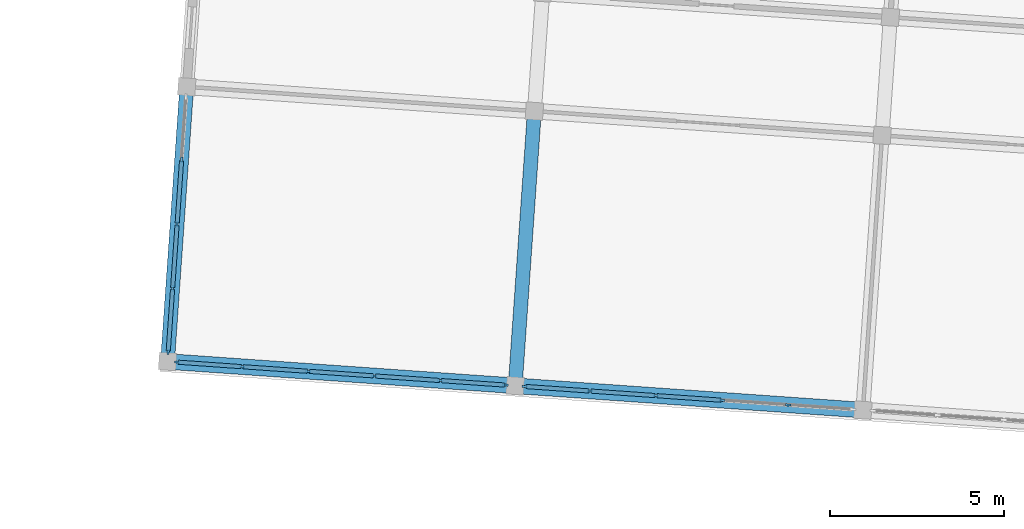
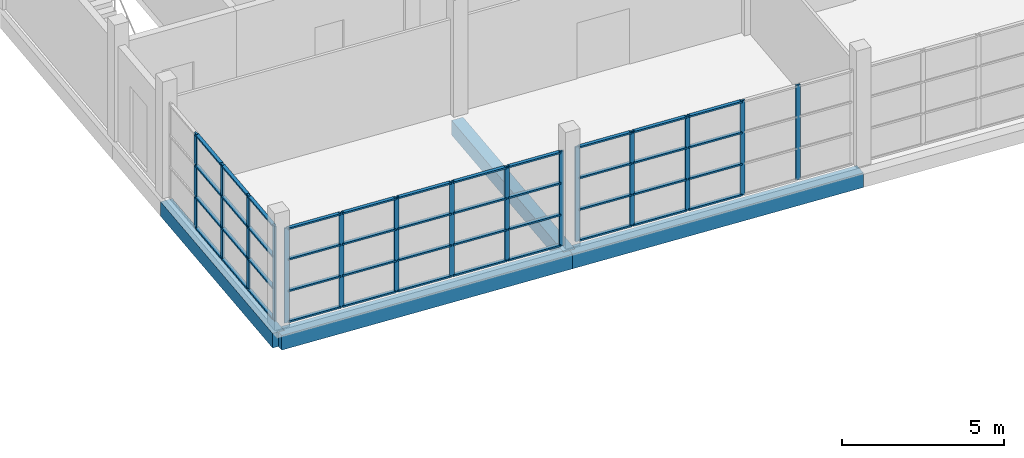
# One storey, part 18 of 50: 59 members, 4 beams, 3 elements without a shape of their own.
"""IFC4 building model written with IfcOpenShell, lengths in metres."""

from ifc_helpers import new_model, si_unit, direction, frame, origin, origin_2d, place, context, subcontext, project, spatial, rectangle, extrude, material, material_profile, profile_set, type_object, element, aggregate, save


model = new_model("IFC4")

# Units and contexts
model_context = context("Model", 3, precision=1e-05, world=origin(), true_north=direction((0.0, 1.0)))
body_context = subcontext(model_context, "Body", "Model", "MODEL_VIEW")
ifc_project = project(units=[si_unit("LENGTHUNIT", "METRE"), si_unit("AREAUNIT", "SQUARE_METRE"), si_unit("VOLUMEUNIT", "CUBIC_METRE"), si_unit("PLANEANGLEUNIT", "RADIAN"), si_unit("MASSUNIT", "GRAM", prefix="KILO")], contexts=[model_context])

# Site, building, storey
site_placement = place(None, origin())
site = spatial("IfcSite", under=ifc_project, at=site_placement, CompositionType="ELEMENT")
building_placement = place(site_placement, origin())
building = spatial("IfcBuilding", under=site, at=building_placement, Name="Windward Yard Aquatics Centre", CompositionType="ELEMENT")
storey_placement = place(building_placement, frame((0.0, 0.0, 18.199951171875)))
storey = spatial("IfcBuildingStorey", under=building, at=storey_placement, Name="L04", CompositionType="ELEMENT", Elevation=18.199951171875)

# Curtain wall, members
ifc_material_1 = material(Name="Aluminium curtain wall system", Category="aluminium")
curtain_wall_type = type_object("IfcCurtainWallType", Name="W curtain wall 1900", PredefinedType="NOTDEFINED", material=ifc_material_1)
curtain_wall_1_placement = place(storey_placement, origin())
curtain_wall_1 = element("IfcCurtainWall", 1, at=curtain_wall_1_placement, inside=storey, type_object=curtain_wall_type, Name="Wing south glazing L04 1", PredefinedType="NOTDEFINED")
ifc_material_2 = material(Name="Aluminium mullion", Category="aluminium")
ifc_material_profile_1 = material_profile(ifc_material_2, rectangle(XDim=0.06005859375, YDim=0.159912109375, at=origin_2d()), Name="AL 60x160")
ifc_profile_set_1 = profile_set([ifc_material_profile_1], Name="Aluminium mullion")
member_type_1 = type_object("IfcMemberType", Name="W CW mullion 60x160", PredefinedType="MULLION", material=ifc_profile_set_1)
member_1_placement = place(storey_placement, frame((118.1181640625, 116.14794921875, 0.0), z_axis=(0.0, 0.0, 1.0), x_axis=(0.06975831617, 0.997563921423, 0.0)))
member_1 = element("IfcMember", 2, at=member_1_placement, type_object=member_type_1, Name="WCW1 mullion 1", PredefinedType="MULLION", context=body_context, shape_type="SweptSolid", body=[
    extrude(rectangle(XDim=0.06005859375, YDim=0.159912109375, at=origin_2d()), origin(), (0.0, 0.0, 1.0), 3.570068359375),
])
member_2_placement = place(storey_placement, frame((119.983642578125, 116.017578125, 0.0), z_axis=(0.0, 0.0, 1.0), x_axis=(0.06975831617, 0.997563921423, 0.0)))
member_2 = element("IfcMember", 3, at=member_2_placement, type_object=member_type_1, Name="WCW1 mullion 2", PredefinedType="MULLION", context=body_context, shape_type="SweptSolid", body=[
    extrude(rectangle(XDim=0.06005859375, YDim=0.159912109375, at=origin_2d()), origin(), (0.0, 0.0, 1.0), 3.570068359375),
])
member_3_placement = place(storey_placement, frame((121.87890625, 115.885009765625, 0.0), z_axis=(0.0, 0.0, 1.0), x_axis=(0.06975831617, 0.997563921423, 0.0)))
member_3 = element("IfcMember", 4, at=member_3_placement, type_object=member_type_1, Name="WCW1 mullion 3", PredefinedType="MULLION", context=body_context, shape_type="SweptSolid", body=[
    extrude(rectangle(XDim=0.06005859375, YDim=0.159912109375, at=origin_2d()), origin(), (0.0, 0.0, 1.0), 3.570068359375),
])
member_4_placement = place(storey_placement, frame((123.7744140625, 115.75244140625, 0.0), z_axis=(0.0, 0.0, 1.0), x_axis=(0.06975831617, 0.997563921423, 0.0)))
member_4 = element("IfcMember", 5, at=member_4_placement, type_object=member_type_1, Name="WCW1 mullion 4", PredefinedType="MULLION", context=body_context, shape_type="SweptSolid", body=[
    extrude(rectangle(XDim=0.06005859375, YDim=0.159912109375, at=origin_2d()), origin(), (0.0, 0.0, 1.0), 3.570068359375),
])
member_5_placement = place(storey_placement, frame((125.669677734375, 115.619873046875, 0.0), z_axis=(0.0, 0.0, 1.0), x_axis=(0.06975831617, 0.997563921423, 0.0)))
member_5 = element("IfcMember", 6, at=member_5_placement, type_object=member_type_1, Name="WCW1 mullion 5", PredefinedType="MULLION", context=body_context, shape_type="SweptSolid", body=[
    extrude(rectangle(XDim=0.06005859375, YDim=0.159912109375, at=origin_2d()), origin(), (0.0, 0.0, 1.0), 3.570068359375),
])
member_6_placement = place(storey_placement, frame((127.53515625, 115.489501953125, 0.0), z_axis=(0.0, 0.0, 1.0), x_axis=(0.06975831617, 0.997563921423, 0.0)))
member_6 = element("IfcMember", 7, at=member_6_placement, type_object=member_type_1, Name="WCW1 mullion 6", PredefinedType="MULLION", context=body_context, shape_type="SweptSolid", body=[
    extrude(rectangle(XDim=0.06005859375, YDim=0.159912109375, at=origin_2d()), origin(), (0.0, 0.0, 1.0), 3.570068359375),
])

curtain_wall_2_placement = place(storey_placement, origin())
curtain_wall_2 = element("IfcCurtainWall", 8, at=curtain_wall_2_placement, inside=storey, type_object=curtain_wall_type, Name="Wing south glazing L04 2", PredefinedType="NOTDEFINED")
member_7_placement = place(storey_placement, frame((128.09375, 115.450439453125, 0.0), z_axis=(0.0, 0.0, 1.0), x_axis=(0.069757583664, 0.997563972646, 0.0)))
member_7 = element("IfcMember", 9, at=member_7_placement, type_object=member_type_1, Name="WCW1 mullion 1", PredefinedType="MULLION", context=body_context, shape_type="SweptSolid", body=[
    extrude(rectangle(XDim=0.06005859375, YDim=0.159912109375, at=origin_2d()), origin(), (0.0, 0.0, 1.0), 3.570068359375),
])
member_8_placement = place(storey_placement, frame((129.959228515625, 115.320068359375, 0.0), z_axis=(0.0, 0.0, 1.0), x_axis=(0.069757583664, 0.997563972646, 0.0)))
member_8 = element("IfcMember", 10, at=member_8_placement, type_object=member_type_1, Name="WCW1 mullion 2", PredefinedType="MULLION", context=body_context, shape_type="SweptSolid", body=[
    extrude(rectangle(XDim=0.06005859375, YDim=0.159912109375, at=origin_2d()), origin(), (0.0, 0.0, 1.0), 3.570068359375),
])
member_9_placement = place(storey_placement, frame((131.854736328125, 115.1875, 0.0), z_axis=(0.0, 0.0, 1.0), x_axis=(0.069757583664, 0.997563972646, 0.0)))
member_9 = element("IfcMember", 11, at=member_9_placement, type_object=member_type_1, Name="WCW1 mullion 3", PredefinedType="MULLION", context=body_context, shape_type="SweptSolid", body=[
    extrude(rectangle(XDim=0.06005859375, YDim=0.159912109375, at=origin_2d()), origin(), (0.0, 0.0, 1.0), 3.570068359375),
])
member_10_placement = place(storey_placement, frame((133.75, 115.054931640625, 0.0), z_axis=(0.0, 0.0, 1.0), x_axis=(0.069757583664, 0.997563972646, 0.0)))
member_10 = element("IfcMember", 12, at=member_10_placement, type_object=member_type_1, Name="WCW1 mullion 4", PredefinedType="MULLION", context=body_context, shape_type="SweptSolid", body=[
    extrude(rectangle(XDim=0.06005859375, YDim=0.159912109375, at=origin_2d()), origin(), (0.0, 0.0, 1.0), 3.570068359375),
])
member_11_placement = place(storey_placement, frame((135.6455078125, 114.92236328125, 0.0), z_axis=(0.0, 0.0, 1.0), x_axis=(0.069757583664, 0.997563972646, 0.0)))
member_11 = element("IfcMember", 13, at=member_11_placement, type_object=member_type_1, Name="WCW1 mullion 5", PredefinedType="MULLION", context=body_context, shape_type="SweptSolid", body=[
    extrude(rectangle(XDim=0.06005859375, YDim=0.159912109375, at=origin_2d()), origin(), (0.0, 0.0, 1.0), 3.570068359375),
])

curtain_wall_3_placement = place(storey_placement, origin())
curtain_wall_3 = element("IfcCurtainWall", 14, at=curtain_wall_3_placement, inside=storey, type_object=curtain_wall_type, Name="Wing west glazing L04 1", PredefinedType="NOTDEFINED")
member_12_placement = place(storey_placement, frame((117.8583984375, 116.44677734375, 0.0), z_axis=(0.0, 0.0, 1.0), x_axis=(-0.997564047681, 0.06975651062, 0.0)))
member_12 = element("IfcMember", 15, at=member_12_placement, type_object=member_type_1, Name="WCW1 mullion 1", PredefinedType="MULLION", context=body_context, shape_type="SweptSolid", body=[
    extrude(rectangle(XDim=0.06005859375, YDim=0.159912109375, at=origin_2d()), origin(), (0.0, 0.0, 1.0), 3.570068359375),
])
member_13_placement = place(storey_placement, frame((117.9853515625, 118.262451171875, 0.0), z_axis=(0.0, 0.0, 1.0), x_axis=(-0.997564047681, 0.06975651062, 0.0)))
member_13 = element("IfcMember", 16, at=member_13_placement, type_object=member_type_1, Name="WCW1 mullion 2", PredefinedType="MULLION", context=body_context, shape_type="SweptSolid", body=[
    extrude(rectangle(XDim=0.06005859375, YDim=0.159912109375, at=origin_2d()), origin(), (0.0, 0.0, 1.0), 3.570068359375),
])
member_14_placement = place(storey_placement, frame((118.114501953125, 120.10791015625, 0.0), z_axis=(0.0, 0.0, 1.0), x_axis=(-0.997564047681, 0.06975651062, 0.0)))
member_14 = element("IfcMember", 17, at=member_14_placement, type_object=member_type_1, Name="WCW1 mullion 3", PredefinedType="MULLION", context=body_context, shape_type="SweptSolid", body=[
    extrude(rectangle(XDim=0.06005859375, YDim=0.159912109375, at=origin_2d()), origin(), (0.0, 0.0, 1.0), 3.570068359375),
])
member_15_placement = place(storey_placement, frame((118.243408203125, 121.953369140625, 0.0), z_axis=(0.0, 0.0, 1.0), x_axis=(-0.997564047681, 0.06975651062, 0.0)))
member_15 = element("IfcMember", 18, at=member_15_placement, type_object=member_type_1, Name="WCW1 mullion 4", PredefinedType="MULLION", context=body_context, shape_type="SweptSolid", body=[
    extrude(rectangle(XDim=0.06005859375, YDim=0.159912109375, at=origin_2d()), origin(), (0.0, 0.0, 1.0), 3.570068359375),
])

# Member
ifc_material_3 = material(Name="Aluminium transom", Category="aluminium")
ifc_material_profile_2 = material_profile(ifc_material_3, rectangle(XDim=0.1201171875, YDim=0.06005859375, at=origin_2d()), Name="AL 120x60")
ifc_profile_set_2 = profile_set([ifc_material_profile_2], Name="Aluminium transom")
member_type_2 = type_object("IfcMemberType", Name="W CW transom 120x60", PredefinedType="USERDEFINED", material=ifc_profile_set_2)
member_16_placement = place(storey_placement, frame((118.148193359375, 116.14599609375, 0.030029296875), z_axis=(0.997555677199, -0.069876110992, 0.0), x_axis=(0.069876110992, 0.997555677199, 0.0)))
member_16 = element("IfcMember", 19, at=member_16_placement, type_object=member_type_2, Name="WCW1 transom 1.1", ObjectType="TRANSOM", PredefinedType="USERDEFINED", context=body_context, shape_type="SweptSolid", body=[
    extrude(rectangle(XDim=0.1201171875, YDim=0.06005859375, at=origin_2d()), origin(), (0.0, 0.0, 1.0), 1.809814453125),
])

member_17_placement = place(storey_placement, frame((118.148193359375, 116.14599609375, 1.18994140625), z_axis=(0.997555677199, -0.069876110992, 0.0), x_axis=(0.069876110992, 0.997555677199, 0.0)))
member_17 = element("IfcMember", 20, at=member_17_placement, type_object=member_type_2, Name="WCW1 transom 1.2", ObjectType="TRANSOM", PredefinedType="USERDEFINED", context=body_context, shape_type="SweptSolid", body=[
    extrude(rectangle(XDim=0.1201171875, YDim=0.06005859375, at=origin_2d()), origin(), (0.0, 0.0, 1.0), 1.809814453125),
])

member_18_placement = place(storey_placement, frame((118.148193359375, 116.14599609375, 2.380126953125), z_axis=(0.997555677199, -0.069876110992, 0.0), x_axis=(0.069876110992, 0.997555677199, 0.0)))
member_18 = element("IfcMember", 21, at=member_18_placement, type_object=member_type_2, Name="WCW1 transom 1.3", ObjectType="TRANSOM", PredefinedType="USERDEFINED", context=body_context, shape_type="SweptSolid", body=[
    extrude(rectangle(XDim=0.1201171875, YDim=0.06005859375, at=origin_2d()), origin(), (0.0, 0.0, 1.0), 1.809814453125),
])

member_19_placement = place(storey_placement, frame((118.148193359375, 116.14599609375, 3.5400390625), z_axis=(0.997555677199, -0.069876110992, 0.0), x_axis=(0.069876110992, 0.997555677199, 0.0)))
member_19 = element("IfcMember", 22, at=member_19_placement, type_object=member_type_2, Name="WCW1 transom 1.4", ObjectType="TRANSOM", PredefinedType="USERDEFINED", context=body_context, shape_type="SweptSolid", body=[
    extrude(rectangle(XDim=0.1201171875, YDim=0.06005859375, at=origin_2d()), origin(), (0.0, 0.0, 1.0), 1.809814453125),
])

member_20_placement = place(storey_placement, frame((120.013671875, 116.015380859375, 0.030029296875), z_axis=(0.997570599543, -0.069662751365, 0.0), x_axis=(0.069662751365, 0.997570599543, 0.0)))
member_20 = element("IfcMember", 23, at=member_20_placement, type_object=member_type_2, Name="WCW1 transom 2.1", ObjectType="TRANSOM", PredefinedType="USERDEFINED", context=body_context, shape_type="SweptSolid", body=[
    extrude(rectangle(XDim=0.1201171875, YDim=0.06005859375, at=origin_2d()), origin(), (0.0, 0.0, 1.0), 1.83984375),
])

member_21_placement = place(storey_placement, frame((120.013671875, 116.015380859375, 1.18994140625), z_axis=(0.997570599543, -0.069662751365, 0.0), x_axis=(0.069662751365, 0.997570599543, 0.0)))
member_21 = element("IfcMember", 24, at=member_21_placement, type_object=member_type_2, Name="WCW1 transom 2.2", ObjectType="TRANSOM", PredefinedType="USERDEFINED", context=body_context, shape_type="SweptSolid", body=[
    extrude(rectangle(XDim=0.1201171875, YDim=0.06005859375, at=origin_2d()), origin(), (0.0, 0.0, 1.0), 1.83984375),
])

member_22_placement = place(storey_placement, frame((120.013671875, 116.015380859375, 2.380126953125), z_axis=(0.997570599543, -0.069662751365, 0.0), x_axis=(0.069662751365, 0.997570599543, 0.0)))
member_22 = element("IfcMember", 25, at=member_22_placement, type_object=member_type_2, Name="WCW1 transom 2.3", ObjectType="TRANSOM", PredefinedType="USERDEFINED", context=body_context, shape_type="SweptSolid", body=[
    extrude(rectangle(XDim=0.1201171875, YDim=0.06005859375, at=origin_2d()), origin(), (0.0, 0.0, 1.0), 1.83984375),
])

member_23_placement = place(storey_placement, frame((120.013671875, 116.015380859375, 3.5400390625), z_axis=(0.997570599543, -0.069662751365, 0.0), x_axis=(0.069662751365, 0.997570599543, 0.0)))
member_23 = element("IfcMember", 26, at=member_23_placement, type_object=member_type_2, Name="WCW1 transom 2.4", ObjectType="TRANSOM", PredefinedType="USERDEFINED", context=body_context, shape_type="SweptSolid", body=[
    extrude(rectangle(XDim=0.1201171875, YDim=0.06005859375, at=origin_2d()), origin(), (0.0, 0.0, 1.0), 1.83984375),
])

member_24_placement = place(storey_placement, frame((121.908935546875, 115.8828125, 0.030029296875), z_axis=(0.997570599543, -0.069662751365, 0.0), x_axis=(0.069662751365, 0.997570599543, 0.0)))
member_24 = element("IfcMember", 27, at=member_24_placement, type_object=member_type_2, Name="WCW1 transom 3.1", ObjectType="TRANSOM", PredefinedType="USERDEFINED", context=body_context, shape_type="SweptSolid", body=[
    extrude(rectangle(XDim=0.1201171875, YDim=0.06005859375, at=origin_2d()), origin(), (0.0, 0.0, 1.0), 1.83984375),
])

member_25_placement = place(storey_placement, frame((121.908935546875, 115.8828125, 1.18994140625), z_axis=(0.997570599543, -0.069662751365, 0.0), x_axis=(0.069662751365, 0.997570599543, 0.0)))
member_25 = element("IfcMember", 28, at=member_25_placement, type_object=member_type_2, Name="WCW1 transom 3.2", ObjectType="TRANSOM", PredefinedType="USERDEFINED", context=body_context, shape_type="SweptSolid", body=[
    extrude(rectangle(XDim=0.1201171875, YDim=0.06005859375, at=origin_2d()), origin(), (0.0, 0.0, 1.0), 1.83984375),
])

member_26_placement = place(storey_placement, frame((121.908935546875, 115.8828125, 2.380126953125), z_axis=(0.997570599543, -0.069662751365, 0.0), x_axis=(0.069662751365, 0.997570599543, 0.0)))
member_26 = element("IfcMember", 29, at=member_26_placement, type_object=member_type_2, Name="WCW1 transom 3.3", ObjectType="TRANSOM", PredefinedType="USERDEFINED", context=body_context, shape_type="SweptSolid", body=[
    extrude(rectangle(XDim=0.1201171875, YDim=0.06005859375, at=origin_2d()), origin(), (0.0, 0.0, 1.0), 1.83984375),
])

member_27_placement = place(storey_placement, frame((121.908935546875, 115.8828125, 3.5400390625), z_axis=(0.997570599543, -0.069662751365, 0.0), x_axis=(0.069662751365, 0.997570599543, 0.0)))
member_27 = element("IfcMember", 30, at=member_27_placement, type_object=member_type_2, Name="WCW1 transom 3.4", ObjectType="TRANSOM", PredefinedType="USERDEFINED", context=body_context, shape_type="SweptSolid", body=[
    extrude(rectangle(XDim=0.1201171875, YDim=0.06005859375, at=origin_2d()), origin(), (0.0, 0.0, 1.0), 1.83984375),
])

member_28_placement = place(storey_placement, frame((123.80419921875, 115.75048828125, 0.030029296875), z_axis=(0.997562015973, -0.069785559303, 0.0), x_axis=(0.069785559303, 0.997562015973, 0.0)))
member_28 = element("IfcMember", 31, at=member_28_placement, type_object=member_type_2, Name="WCW1 transom 4.1", ObjectType="TRANSOM", PredefinedType="USERDEFINED", context=body_context, shape_type="SweptSolid", body=[
    extrude(rectangle(XDim=0.1201171875, YDim=0.06005859375, at=origin_2d()), origin(), (0.0, 0.0, 1.0), 1.840087890625),
])

member_29_placement = place(storey_placement, frame((123.80419921875, 115.75048828125, 1.18994140625), z_axis=(0.997562015973, -0.069785559303, 0.0), x_axis=(0.069785559303, 0.997562015973, 0.0)))
member_29 = element("IfcMember", 32, at=member_29_placement, type_object=member_type_2, Name="WCW1 transom 4.2", ObjectType="TRANSOM", PredefinedType="USERDEFINED", context=body_context, shape_type="SweptSolid", body=[
    extrude(rectangle(XDim=0.1201171875, YDim=0.06005859375, at=origin_2d()), origin(), (0.0, 0.0, 1.0), 1.840087890625),
])

member_30_placement = place(storey_placement, frame((123.80419921875, 115.75048828125, 2.380126953125), z_axis=(0.997562015973, -0.069785559303, 0.0), x_axis=(0.069785559303, 0.997562015973, 0.0)))
member_30 = element("IfcMember", 33, at=member_30_placement, type_object=member_type_2, Name="WCW1 transom 4.3", ObjectType="TRANSOM", PredefinedType="USERDEFINED", context=body_context, shape_type="SweptSolid", body=[
    extrude(rectangle(XDim=0.1201171875, YDim=0.06005859375, at=origin_2d()), origin(), (0.0, 0.0, 1.0), 1.840087890625),
])

member_31_placement = place(storey_placement, frame((123.80419921875, 115.75048828125, 3.5400390625), z_axis=(0.997562015973, -0.069785559303, 0.0), x_axis=(0.069785559303, 0.997562015973, 0.0)))
member_31 = element("IfcMember", 34, at=member_31_placement, type_object=member_type_2, Name="WCW1 transom 4.4", ObjectType="TRANSOM", PredefinedType="USERDEFINED", context=body_context, shape_type="SweptSolid", body=[
    extrude(rectangle(XDim=0.1201171875, YDim=0.06005859375, at=origin_2d()), origin(), (0.0, 0.0, 1.0), 1.840087890625),
])

member_32_placement = place(storey_placement, frame((125.69970703125, 115.617919921875, 0.030029296875), z_axis=(0.997565071221, -0.069741871781, 0.0), x_axis=(0.069741871781, 0.997565071221, 0.0)))
member_32 = element("IfcMember", 35, at=member_32_placement, type_object=member_type_2, Name="WCW1 transom 5.1", ObjectType="TRANSOM", PredefinedType="USERDEFINED", context=body_context, shape_type="SweptSolid", body=[
    extrude(rectangle(XDim=0.1201171875, YDim=0.06005859375, at=origin_2d()), origin(), (0.0, 0.0, 1.0), 1.809814453125),
])

member_33_placement = place(storey_placement, frame((125.69970703125, 115.617919921875, 1.18994140625), z_axis=(0.997565071221, -0.069741871781, 0.0), x_axis=(0.069741871781, 0.997565071221, 0.0)))
member_33 = element("IfcMember", 36, at=member_33_placement, type_object=member_type_2, Name="WCW1 transom 5.2", ObjectType="TRANSOM", PredefinedType="USERDEFINED", context=body_context, shape_type="SweptSolid", body=[
    extrude(rectangle(XDim=0.1201171875, YDim=0.06005859375, at=origin_2d()), origin(), (0.0, 0.0, 1.0), 1.809814453125),
])

member_34_placement = place(storey_placement, frame((125.69970703125, 115.617919921875, 2.380126953125), z_axis=(0.997565071221, -0.069741871781, 0.0), x_axis=(0.069741871781, 0.997565071221, 0.0)))
member_34 = element("IfcMember", 37, at=member_34_placement, type_object=member_type_2, Name="WCW1 transom 5.3", ObjectType="TRANSOM", PredefinedType="USERDEFINED", context=body_context, shape_type="SweptSolid", body=[
    extrude(rectangle(XDim=0.1201171875, YDim=0.06005859375, at=origin_2d()), origin(), (0.0, 0.0, 1.0), 1.809814453125),
])

member_35_placement = place(storey_placement, frame((125.69970703125, 115.617919921875, 3.5400390625), z_axis=(0.997565071221, -0.069741871781, 0.0), x_axis=(0.069741871781, 0.997565071221, 0.0)))
member_35 = element("IfcMember", 38, at=member_35_placement, type_object=member_type_2, Name="WCW1 transom 5.4", ObjectType="TRANSOM", PredefinedType="USERDEFINED", context=body_context, shape_type="SweptSolid", body=[
    extrude(rectangle(XDim=0.1201171875, YDim=0.06005859375, at=origin_2d()), origin(), (0.0, 0.0, 1.0), 1.809814453125),
])

aggregate(curtain_wall_1, [member_1, member_2, member_3, member_4, member_5, member_6, member_16, member_17, member_18, member_19, member_20, member_21, member_22, member_23, member_24, member_25, member_26, member_27, member_28, member_29, member_30, member_31, member_32, member_33, member_34, member_35])

member_36_placement = place(storey_placement, frame((128.123779296875, 115.4482421875, 0.030029296875), z_axis=(0.997565727219, -0.069732487963, 0.0), x_axis=(0.069732487963, 0.997565727219, 0.0)))
member_36 = element("IfcMember", 39, at=member_36_placement, type_object=member_type_2, Name="WCW1 transom 1.1", ObjectType="TRANSOM", PredefinedType="USERDEFINED", context=body_context, shape_type="SweptSolid", body=[
    extrude(rectangle(XDim=0.1201171875, YDim=0.06005859375, at=origin_2d()), origin(), (0.0, 0.0, 1.0), 1.81005859375),
])

member_37_placement = place(storey_placement, frame((128.123779296875, 115.4482421875, 1.18994140625), z_axis=(0.997565727219, -0.069732487963, 0.0), x_axis=(0.069732487963, 0.997565727219, 0.0)))
member_37 = element("IfcMember", 40, at=member_37_placement, type_object=member_type_2, Name="WCW1 transom 1.2", ObjectType="TRANSOM", PredefinedType="USERDEFINED", context=body_context, shape_type="SweptSolid", body=[
    extrude(rectangle(XDim=0.1201171875, YDim=0.06005859375, at=origin_2d()), origin(), (0.0, 0.0, 1.0), 1.81005859375),
])

member_38_placement = place(storey_placement, frame((128.123779296875, 115.4482421875, 2.380126953125), z_axis=(0.997565727219, -0.069732487963, 0.0), x_axis=(0.069732487963, 0.997565727219, 0.0)))
member_38 = element("IfcMember", 41, at=member_38_placement, type_object=member_type_2, Name="WCW1 transom 1.3", ObjectType="TRANSOM", PredefinedType="USERDEFINED", context=body_context, shape_type="SweptSolid", body=[
    extrude(rectangle(XDim=0.1201171875, YDim=0.06005859375, at=origin_2d()), origin(), (0.0, 0.0, 1.0), 1.81005859375),
])

member_39_placement = place(storey_placement, frame((128.123779296875, 115.4482421875, 3.5400390625), z_axis=(0.997565727219, -0.069732487963, 0.0), x_axis=(0.069732487963, 0.997565727219, 0.0)))
member_39 = element("IfcMember", 42, at=member_39_placement, type_object=member_type_2, Name="WCW1 transom 1.4", ObjectType="TRANSOM", PredefinedType="USERDEFINED", context=body_context, shape_type="SweptSolid", body=[
    extrude(rectangle(XDim=0.1201171875, YDim=0.06005859375, at=origin_2d()), origin(), (0.0, 0.0, 1.0), 1.81005859375),
])

member_40_placement = place(storey_placement, frame((129.9892578125, 115.31787109375, 0.030029296875), z_axis=(0.997561369728, -0.069794796552, 0.0), x_axis=(0.069794796552, 0.997561369728, 0.0)))
member_40 = element("IfcMember", 43, at=member_40_placement, type_object=member_type_2, Name="WCW1 transom 2.1", ObjectType="TRANSOM", PredefinedType="USERDEFINED", context=body_context, shape_type="SweptSolid", body=[
    extrude(rectangle(XDim=0.1201171875, YDim=0.06005859375, at=origin_2d()), origin(), (0.0, 0.0, 1.0), 1.83984375),
])

member_41_placement = place(storey_placement, frame((129.9892578125, 115.31787109375, 1.18994140625), z_axis=(0.997561369728, -0.069794796552, 0.0), x_axis=(0.069794796552, 0.997561369728, 0.0)))
member_41 = element("IfcMember", 44, at=member_41_placement, type_object=member_type_2, Name="WCW1 transom 2.2", ObjectType="TRANSOM", PredefinedType="USERDEFINED", context=body_context, shape_type="SweptSolid", body=[
    extrude(rectangle(XDim=0.1201171875, YDim=0.06005859375, at=origin_2d()), origin(), (0.0, 0.0, 1.0), 1.83984375),
])

member_42_placement = place(storey_placement, frame((129.9892578125, 115.31787109375, 2.380126953125), z_axis=(0.997561369728, -0.069794796552, 0.0), x_axis=(0.069794796552, 0.997561369728, 0.0)))
member_42 = element("IfcMember", 45, at=member_42_placement, type_object=member_type_2, Name="WCW1 transom 2.3", ObjectType="TRANSOM", PredefinedType="USERDEFINED", context=body_context, shape_type="SweptSolid", body=[
    extrude(rectangle(XDim=0.1201171875, YDim=0.06005859375, at=origin_2d()), origin(), (0.0, 0.0, 1.0), 1.83984375),
])

member_43_placement = place(storey_placement, frame((129.9892578125, 115.31787109375, 3.5400390625), z_axis=(0.997561369728, -0.069794796552, 0.0), x_axis=(0.069794796552, 0.997561369728, 0.0)))
member_43 = element("IfcMember", 46, at=member_43_placement, type_object=member_type_2, Name="WCW1 transom 2.4", ObjectType="TRANSOM", PredefinedType="USERDEFINED", context=body_context, shape_type="SweptSolid", body=[
    extrude(rectangle(XDim=0.1201171875, YDim=0.06005859375, at=origin_2d()), origin(), (0.0, 0.0, 1.0), 1.83984375),
])

member_44_placement = place(storey_placement, frame((131.884521484375, 115.185302734375, 0.030029296875), z_axis=(0.997562015973, -0.069785559303, 0.0), x_axis=(0.069785559303, 0.997562015973, 0.0)))
member_44 = element("IfcMember", 47, at=member_44_placement, type_object=member_type_2, Name="WCW1 transom 3.1", ObjectType="TRANSOM", PredefinedType="USERDEFINED", context=body_context, shape_type="SweptSolid", body=[
    extrude(rectangle(XDim=0.1201171875, YDim=0.06005859375, at=origin_2d()), origin(), (0.0, 0.0, 1.0), 1.840087890625),
])

member_45_placement = place(storey_placement, frame((131.884521484375, 115.185302734375, 1.18994140625), z_axis=(0.997562015973, -0.069785559303, 0.0), x_axis=(0.069785559303, 0.997562015973, 0.0)))
member_45 = element("IfcMember", 48, at=member_45_placement, type_object=member_type_2, Name="WCW1 transom 3.2", ObjectType="TRANSOM", PredefinedType="USERDEFINED", context=body_context, shape_type="SweptSolid", body=[
    extrude(rectangle(XDim=0.1201171875, YDim=0.06005859375, at=origin_2d()), origin(), (0.0, 0.0, 1.0), 1.840087890625),
])

member_46_placement = place(storey_placement, frame((131.884521484375, 115.185302734375, 2.380126953125), z_axis=(0.997562015973, -0.069785559303, 0.0), x_axis=(0.069785559303, 0.997562015973, 0.0)))
member_46 = element("IfcMember", 49, at=member_46_placement, type_object=member_type_2, Name="WCW1 transom 3.3", ObjectType="TRANSOM", PredefinedType="USERDEFINED", context=body_context, shape_type="SweptSolid", body=[
    extrude(rectangle(XDim=0.1201171875, YDim=0.06005859375, at=origin_2d()), origin(), (0.0, 0.0, 1.0), 1.840087890625),
])

member_47_placement = place(storey_placement, frame((131.884521484375, 115.185302734375, 3.5400390625), z_axis=(0.997562015973, -0.069785559303, 0.0), x_axis=(0.069785559303, 0.997562015973, 0.0)))
member_47 = element("IfcMember", 50, at=member_47_placement, type_object=member_type_2, Name="WCW1 transom 3.4", ObjectType="TRANSOM", PredefinedType="USERDEFINED", context=body_context, shape_type="SweptSolid", body=[
    extrude(rectangle(XDim=0.1201171875, YDim=0.06005859375, at=origin_2d()), origin(), (0.0, 0.0, 1.0), 1.840087890625),
])

aggregate(curtain_wall_2, [member_7, member_8, member_9, member_10, member_11, member_36, member_37, member_38, member_39, member_40, member_41, member_42, member_43, member_44, member_45, member_46, member_47])

member_48_placement = place(storey_placement, frame((117.860595703125, 116.476806640625, 0.030029296875), z_axis=(0.06963999978, 0.99757218808, 0.0), x_axis=(-0.99757218808, 0.06963999978, 0.0)))
member_48 = element("IfcMember", 51, at=member_48_placement, type_object=member_type_2, Name="WCW1 transom 1.1", ObjectType="TRANSOM", PredefinedType="USERDEFINED", context=body_context, shape_type="SweptSolid", body=[
    extrude(rectangle(XDim=0.1201171875, YDim=0.06005859375, at=origin_2d()), origin(), (0.0, 0.0, 1.0), 1.760009765625),
])

member_49_placement = place(storey_placement, frame((117.860595703125, 116.476806640625, 1.18994140625), z_axis=(0.06963999978, 0.99757218808, 0.0), x_axis=(-0.99757218808, 0.06963999978, 0.0)))
member_49 = element("IfcMember", 52, at=member_49_placement, type_object=member_type_2, Name="WCW1 transom 1.2", ObjectType="TRANSOM", PredefinedType="USERDEFINED", context=body_context, shape_type="SweptSolid", body=[
    extrude(rectangle(XDim=0.1201171875, YDim=0.06005859375, at=origin_2d()), origin(), (0.0, 0.0, 1.0), 1.760009765625),
])

member_50_placement = place(storey_placement, frame((117.860595703125, 116.476806640625, 2.380126953125), z_axis=(0.06963999978, 0.99757218808, 0.0), x_axis=(-0.99757218808, 0.06963999978, 0.0)))
member_50 = element("IfcMember", 53, at=member_50_placement, type_object=member_type_2, Name="WCW1 transom 1.3", ObjectType="TRANSOM", PredefinedType="USERDEFINED", context=body_context, shape_type="SweptSolid", body=[
    extrude(rectangle(XDim=0.1201171875, YDim=0.06005859375, at=origin_2d()), origin(), (0.0, 0.0, 1.0), 1.760009765625),
])

member_51_placement = place(storey_placement, frame((117.860595703125, 116.476806640625, 3.5400390625), z_axis=(0.06963999978, 0.99757218808, 0.0), x_axis=(-0.99757218808, 0.06963999978, 0.0)))
member_51 = element("IfcMember", 54, at=member_51_placement, type_object=member_type_2, Name="WCW1 transom 1.4", ObjectType="TRANSOM", PredefinedType="USERDEFINED", context=body_context, shape_type="SweptSolid", body=[
    extrude(rectangle(XDim=0.1201171875, YDim=0.06005859375, at=origin_2d()), origin(), (0.0, 0.0, 1.0), 1.760009765625),
])

member_52_placement = place(storey_placement, frame((117.987548828125, 118.292236328125, 0.030029296875), z_axis=(0.069696115056, 0.997568269116, 0.0), x_axis=(-0.997568269116, 0.069696115056, 0.0)))
member_52 = element("IfcMember", 55, at=member_52_placement, type_object=member_type_2, Name="WCW1 transom 2.1", ObjectType="TRANSOM", PredefinedType="USERDEFINED", context=body_context, shape_type="SweptSolid", body=[
    extrude(rectangle(XDim=0.1201171875, YDim=0.06005859375, at=origin_2d()), origin(), (0.0, 0.0, 1.0), 1.7900390625),
])

member_53_placement = place(storey_placement, frame((117.987548828125, 118.292236328125, 1.18994140625), z_axis=(0.069696115056, 0.997568269116, 0.0), x_axis=(-0.997568269116, 0.069696115056, 0.0)))
member_53 = element("IfcMember", 56, at=member_53_placement, type_object=member_type_2, Name="WCW1 transom 2.2", ObjectType="TRANSOM", PredefinedType="USERDEFINED", context=body_context, shape_type="SweptSolid", body=[
    extrude(rectangle(XDim=0.1201171875, YDim=0.06005859375, at=origin_2d()), origin(), (0.0, 0.0, 1.0), 1.7900390625),
])

member_54_placement = place(storey_placement, frame((117.987548828125, 118.292236328125, 2.380126953125), z_axis=(0.069696115056, 0.997568269116, 0.0), x_axis=(-0.997568269116, 0.069696115056, 0.0)))
member_54 = element("IfcMember", 57, at=member_54_placement, type_object=member_type_2, Name="WCW1 transom 2.3", ObjectType="TRANSOM", PredefinedType="USERDEFINED", context=body_context, shape_type="SweptSolid", body=[
    extrude(rectangle(XDim=0.1201171875, YDim=0.06005859375, at=origin_2d()), origin(), (0.0, 0.0, 1.0), 1.7900390625),
])

member_55_placement = place(storey_placement, frame((117.987548828125, 118.292236328125, 3.5400390625), z_axis=(0.069696115056, 0.997568269116, 0.0), x_axis=(-0.997568269116, 0.069696115056, 0.0)))
member_55 = element("IfcMember", 58, at=member_55_placement, type_object=member_type_2, Name="WCW1 transom 2.4", ObjectType="TRANSOM", PredefinedType="USERDEFINED", context=body_context, shape_type="SweptSolid", body=[
    extrude(rectangle(XDim=0.1201171875, YDim=0.06005859375, at=origin_2d()), origin(), (0.0, 0.0, 1.0), 1.7900390625),
])

member_56_placement = place(storey_placement, frame((118.116455078125, 120.137939453125, 0.030029296875), z_axis=(0.069831842205, 0.997558777123, 0.0), x_axis=(-0.997558777123, 0.069831842205, 0.0)))
member_56 = element("IfcMember", 59, at=member_56_placement, type_object=member_type_2, Name="WCW1 transom 3.1", ObjectType="TRANSOM", PredefinedType="USERDEFINED", context=body_context, shape_type="SweptSolid", body=[
    extrude(rectangle(XDim=0.1201171875, YDim=0.06005859375, at=origin_2d()), origin(), (0.0, 0.0, 1.0), 1.7900390625),
])

member_57_placement = place(storey_placement, frame((118.116455078125, 120.137939453125, 1.18994140625), z_axis=(0.069831842205, 0.997558777123, 0.0), x_axis=(-0.997558777123, 0.069831842205, 0.0)))
member_57 = element("IfcMember", 60, at=member_57_placement, type_object=member_type_2, Name="WCW1 transom 3.2", ObjectType="TRANSOM", PredefinedType="USERDEFINED", context=body_context, shape_type="SweptSolid", body=[
    extrude(rectangle(XDim=0.1201171875, YDim=0.06005859375, at=origin_2d()), origin(), (0.0, 0.0, 1.0), 1.7900390625),
])

member_58_placement = place(storey_placement, frame((118.116455078125, 120.137939453125, 2.380126953125), z_axis=(0.069831842205, 0.997558777123, 0.0), x_axis=(-0.997558777123, 0.069831842205, 0.0)))
member_58 = element("IfcMember", 61, at=member_58_placement, type_object=member_type_2, Name="WCW1 transom 3.3", ObjectType="TRANSOM", PredefinedType="USERDEFINED", context=body_context, shape_type="SweptSolid", body=[
    extrude(rectangle(XDim=0.1201171875, YDim=0.06005859375, at=origin_2d()), origin(), (0.0, 0.0, 1.0), 1.7900390625),
])

member_59_placement = place(storey_placement, frame((118.116455078125, 120.137939453125, 3.5400390625), z_axis=(0.069831842205, 0.997558777123, 0.0), x_axis=(-0.997558777123, 0.069831842205, 0.0)))
member_59 = element("IfcMember", 62, at=member_59_placement, type_object=member_type_2, Name="WCW1 transom 3.4", ObjectType="TRANSOM", PredefinedType="USERDEFINED", context=body_context, shape_type="SweptSolid", body=[
    extrude(rectangle(XDim=0.1201171875, YDim=0.06005859375, at=origin_2d()), origin(), (0.0, 0.0, 1.0), 1.7900390625),
])

aggregate(curtain_wall_3, [member_12, member_13, member_14, member_15, member_48, member_49, member_50, member_51, member_52, member_53, member_54, member_55, member_56, member_57, member_58, member_59])

# Beams
ifc_material_4 = material(Name="Concrete C40/50", Category="concrete")
ifc_material_profile_3 = material_profile(ifc_material_4, rectangle(XDim=0.39990234375, YDim=0.550048828125, at=origin_2d()), Name="RC 400x550")
ifc_profile_set_3 = profile_set([ifc_material_profile_3], Name="Concrete C40/50")
beam_type_1 = type_object("IfcBeamType", Name="W RC 400x550 beam Concrete C40/50", PredefinedType="BEAM", material=ifc_profile_set_3)
beam_1_placement = place(storey_placement, frame((117.8388671875, 116.16748046875, -0.554931640625), z_axis=(0.0697491702, 0.997564560947, 0.0), x_axis=(-0.997564560947, 0.0697491702, 0.0)))
element("IfcBeam", 63, at=beam_1_placement, inside=storey, type_object=beam_type_1, Name="W.BV.L04.2.A", PredefinedType="BEAM", context=body_context, shape_type="SweptSolid", body=[
    extrude(rectangle(XDim=0.39990234375, YDim=0.550048828125, at=origin_2d()), origin(), (0.0, 0.0, 1.0), 7.900146484375),
])
beam_2_placement = place(storey_placement, frame((127.814453125, 115.469970703125, -0.554931640625), z_axis=(0.069751320509, 0.997564410596, 0.0), x_axis=(-0.997564410596, 0.069751320509, 0.0)))
element("IfcBeam", 64, at=beam_2_placement, inside=storey, type_object=beam_type_1, Name="W.BV.L04.3.A", PredefinedType="BEAM", context=body_context, shape_type="SweptSolid", body=[
    extrude(rectangle(XDim=0.39990234375, YDim=0.550048828125, at=origin_2d()), origin(), (0.0, 0.0, 1.0), 7.89990234375),
])
ifc_material_profile_4 = material_profile(ifc_material_4, rectangle(XDim=0.449951171875, YDim=0.550048828125, at=origin_2d()), Name="RC 450x550")
ifc_profile_set_4 = profile_set([ifc_material_profile_4], Name="Concrete C40/50")
beam_type_2 = type_object("IfcBeamType", Name="W RC 450x550 beam Concrete C40/50", PredefinedType="BEAM", material=ifc_profile_set_4)
for number, where, z_axis, x_axis, name in (
    (65, (117.8388671875, 116.16748046875, -0.554931640625), (0.997564406228, -0.069751382981, 0.0), (0.069751382981, 0.997564406228, 0.0), "W.BU.L04.1.2"),
    (66, (127.814453125, 115.469970703125, -0.554931640625), (0.997564406228, -0.069751382981, 0.0), (0.069751382981, 0.997564406228, 0.0), "W.BU.L04.1.3"),
):
    element("IfcBeam", number, at=place(storey_placement, frame(where, z_axis=z_axis, x_axis=x_axis)), inside=storey, type_object=beam_type_2, Name=name, PredefinedType="BEAM", context=body_context, shape_type="SweptSolid", body=[
        extrude(rectangle(XDim=0.449951171875, YDim=0.550048828125, at=origin_2d()), origin(), (0.0, 0.0, 1.0), 10.0),
    ])

save(model, "model.ifc")
